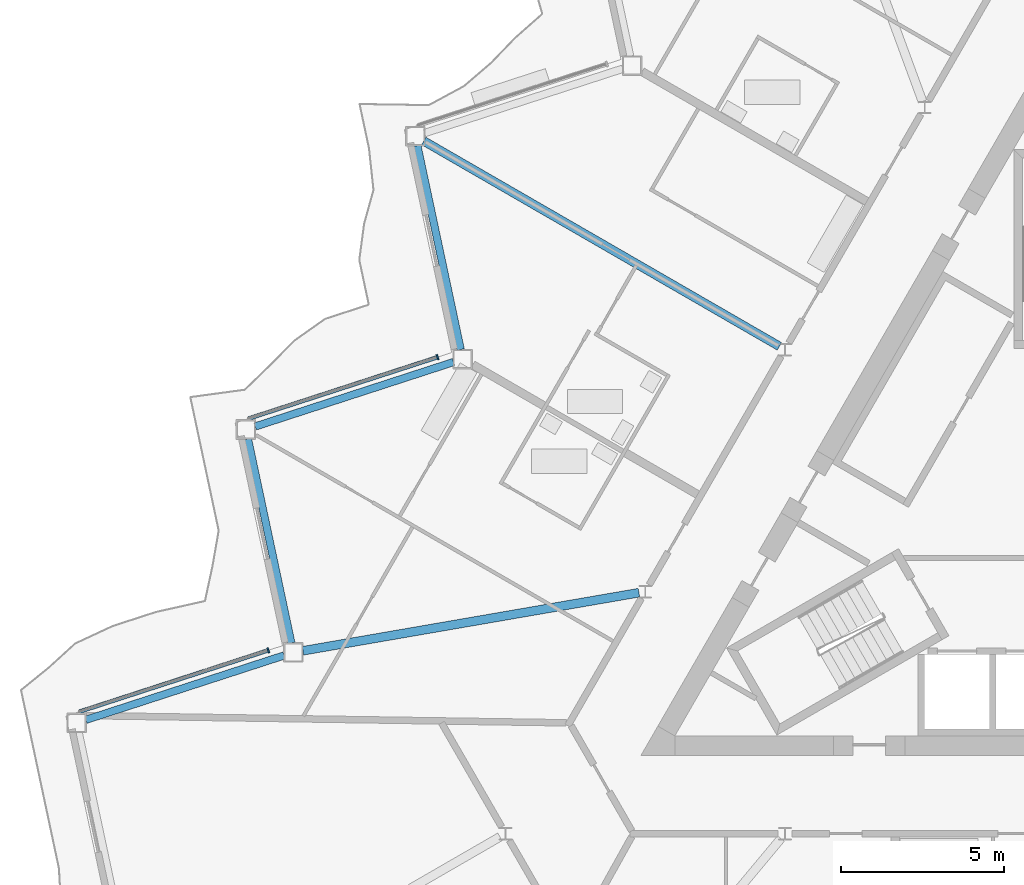
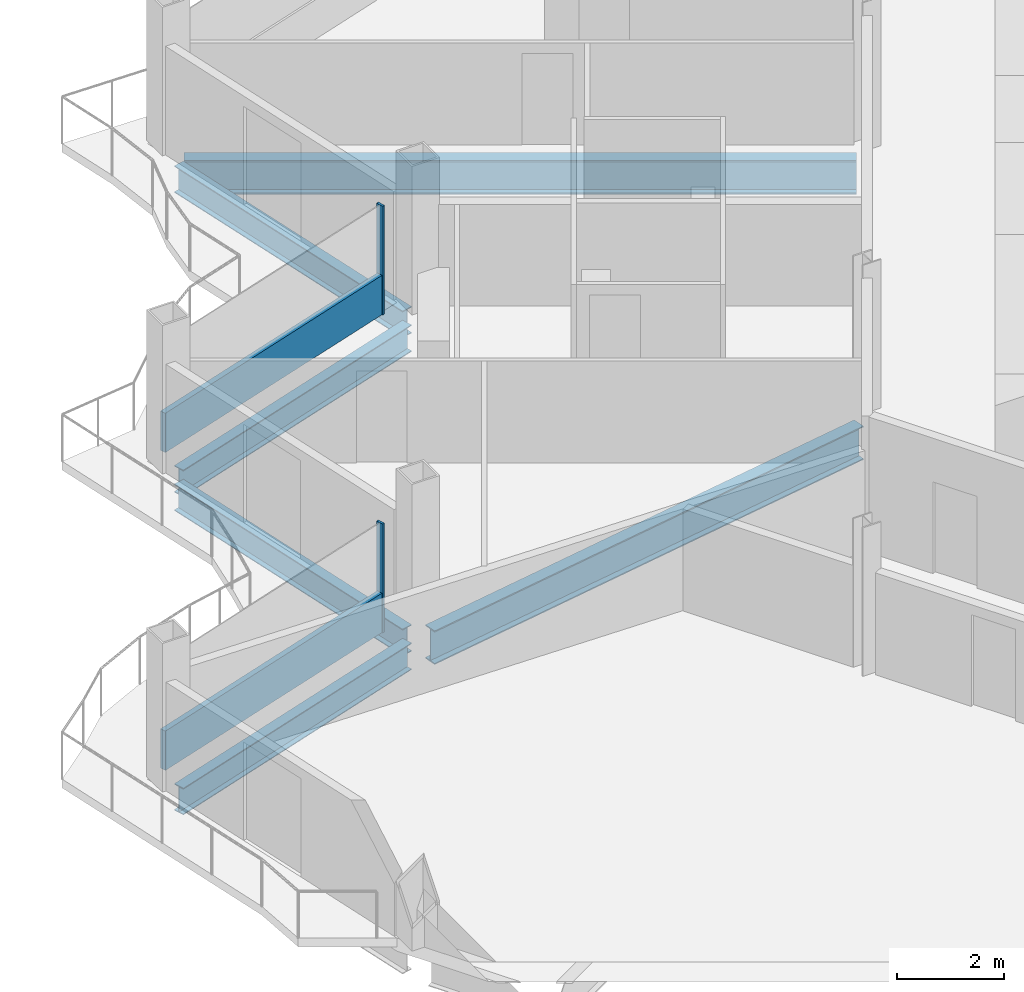
# One storey, part 6 of 26: 6 beams, 4 members, 2 elements without a shape of their own.
"""IFC4 building model written with IfcOpenShell, lengths in metres."""

from ifc_helpers import new_model, si_unit, direction, frame, origin, origin_2d, place, context, subcontext, project, spatial, rectangle, i_section, extrude, material, layer, layer_set, material_profile, profile_set, type_object, element, aggregate, save


model = new_model("IFC4")

# Units and contexts
model_context = context("Model", 3, precision=1e-05, world=origin(), true_north=direction((0.0, 1.0)))
body_context = subcontext(model_context, "Body", "Model", "MODEL_VIEW")
ifc_project = project(units=[si_unit("LENGTHUNIT", "METRE"), si_unit("AREAUNIT", "SQUARE_METRE"), si_unit("VOLUMEUNIT", "CUBIC_METRE"), si_unit("PLANEANGLEUNIT", "RADIAN"), si_unit("MASSUNIT", "GRAM", prefix="KILO")], contexts=[model_context])

# Site, building, storey
site_placement = place(None, origin())
site = spatial("IfcSite", under=ifc_project, at=site_placement, CompositionType="ELEMENT")
building_placement = place(site_placement, origin())
building = spatial("IfcBuilding", under=site, at=building_placement, Name="Cormorant Prow Tower", CompositionType="ELEMENT")
storey_placement = place(building_placement, frame((0.0, 0.0, 329.0)))
storey = spatial("IfcBuildingStorey", under=building, at=storey_placement, Name="L73", CompositionType="ELEMENT", Elevation=329.0)

# Beams
ifc_material_1 = material(Name="Structural steel ASTM A992 Gr 50", Category="steel")
ifc_material_profile_1 = material_profile(ifc_material_1, i_section(OverallWidth=0.267822265625, OverallDepth=0.77001953125, WebThickness=0.015625, FlangeThickness=0.025390625, at=origin_2d()), Name="W30x132")
ifc_profile_set_1 = profile_set([ifc_material_profile_1], Name="Structural steel ASTM A992 Gr 50")
beam_type_1 = type_object("IfcBeamType", Name="Radial floor beam W30x132", PredefinedType="BEAM", material=ifc_profile_set_1)
beam_1_placement = place(storey_placement, frame((-8.749755859375, 5.051513671875, -0.68505859375), z_axis=(-0.866021086443, 0.50000747778, 0.0), x_axis=(-0.50000747778, -0.866021086443, 0.0)))
element("IfcBeam", 1, at=beam_1_placement, inside=storey, type_object=beam_type_1, Name="Radial floor beam FB3 3 L73", PredefinedType="BEAM", context=body_context, shape_type="SweptSolid", body=[
    extrude(i_section(OverallWidth=0.267822265625, OverallDepth=0.77001953125, WebThickness=0.015625, FlangeThickness=0.025390625, at=origin_2d()), origin(), (0.0, 0.0, 1.0), 12.604736328125),
])
beam_2_placement = place(storey_placement, frame((-13.0625, -2.510009765625, -0.68505859375), z_axis=(-0.985379592304, -0.170373293304, 0.0), x_axis=(0.170373293304, -0.985379592304, 0.0)))
element("IfcBeam", 2, at=beam_2_placement, inside=storey, type_object=beam_type_1, Name="Radial floor beam FB3 4 L73", PredefinedType="BEAM", context=body_context, shape_type="SweptSolid", body=[
    extrude(i_section(OverallWidth=0.267822265625, OverallDepth=0.77001953125, WebThickness=0.015625, FlangeThickness=0.025390625, at=origin_2d()), origin(), (0.0, 0.0, 1.0), 10.465087890625),
])

# Curtain wall, member
ifc_material_2 = material(Name="Aluminium 6063-T6", Category="aluminium")
ifc_layer = layer(ifc_material_2, 0.159912109375)
ifc_layer_set = layer_set([ifc_layer], Name="Aluminium 6063-T6")
curtain_wall_type = type_object("IfcCurtainWallType", Name="Residential unitised curtain wall 160", PredefinedType="NOTDEFINED", material=ifc_layer_set)
curtain_wall_1_placement = place(storey_placement, origin())
curtain_wall_1 = element("IfcCurtainWall", 3, at=curtain_wall_1_placement, inside=storey, type_object=curtain_wall_type, Name="Residential curtain wall WNW06", PredefinedType="NOTDEFINED")
ifc_material_3 = material(Name="Aluminium 6063-T6", Category="aluminium")
ifc_material_profile_2 = material_profile(ifc_material_3, rectangle(XDim=0.159912109375, YDim=0.050048828125, at=origin_2d()), Name="Residential mullion 50x160")
ifc_profile_set_2 = profile_set([ifc_material_profile_2], Name="Aluminium 6063-T6")
member_type_1 = type_object("IfcMemberType", Name="Residential mullion 50x160", PredefinedType="MULLION", material=ifc_profile_set_2)
member_1_placement = place(storey_placement, frame((-19.244384765625, 4.718505859375, 0.0), z_axis=(0.0, 0.0, 1.0), x_axis=(0.309017021913, -0.951056507348, 0.0)))
member_1 = element("IfcMember", 4, at=member_1_placement, type_object=member_type_1, Name="Residential mullion WNW06", PredefinedType="MULLION", context=body_context, shape_type="SweptSolid", body=[
    extrude(rectangle(XDim=0.159912109375, YDim=0.050048828125, at=origin_2d()), origin(), (0.0, 0.0, 1.0), 2.48779296875),
])

curtain_wall_2_placement = place(storey_placement, origin())
curtain_wall_2 = element("IfcCurtainWall", 5, at=curtain_wall_2_placement, inside=storey, type_object=curtain_wall_type, Name="Residential curtain wall WNW08", PredefinedType="NOTDEFINED")
member_2_placement = place(storey_placement, frame((-24.43896484375, -4.279052734375, 0.0), z_axis=(0.0, 0.0, 1.0), x_axis=(0.309017021913, -0.951056507348, 0.0)))
member_2 = element("IfcMember", 6, at=member_2_placement, type_object=member_type_1, Name="Residential mullion WNW08", PredefinedType="MULLION", context=body_context, shape_type="SweptSolid", body=[
    extrude(rectangle(XDim=0.159912109375, YDim=0.050048828125, at=origin_2d()), origin(), (0.0, 0.0, 1.0), 2.48779296875),
])

# Member
ifc_material_4 = material(Name="Terracotta", Category="masonry")
ifc_material_profile_3 = material_profile(ifc_material_4, rectangle(XDim=0.1201171875, YDim=0.89990234375, at=origin_2d()), Name="Residential terracotta spandrel rail 120x900")
ifc_profile_set_3 = profile_set([ifc_material_profile_3], Name="Terracotta")
member_type_2 = type_object("IfcMemberType", Name="Residential terracotta spandrel rail 120x900", PredefinedType="USERDEFINED", material=ifc_profile_set_3)
member_3_placement = place(storey_placement, frame((-19.26806640625, 4.710693359375, 0.449951171875), z_axis=(-0.951064202661, -0.308993337171, 0.0), x_axis=(0.308993337171, -0.951064202661, 0.0)))
member_3 = element("IfcMember", 7, at=member_3_placement, type_object=member_type_2, Name="Residential spandrel rail WNW06", ObjectType="TRANSOM", PredefinedType="USERDEFINED", context=body_context, shape_type="SweptSolid", body=[
    extrude(rectangle(XDim=0.1201171875, YDim=0.89990234375, at=origin_2d()), origin(), (0.0, 0.0, 1.0), 6.072021484375),
])

aggregate(curtain_wall_1, [member_1, member_3])

member_4_placement = place(storey_placement, frame((-24.462646484375, -4.28662109375, 0.449951171875), z_axis=(-0.95105622579, -0.309017888456, 0.0), x_axis=(0.309017888456, -0.95105622579, 0.0)))
member_4 = element("IfcMember", 8, at=member_4_placement, type_object=member_type_2, Name="Residential spandrel rail WNW08", ObjectType="TRANSOM", PredefinedType="USERDEFINED", context=body_context, shape_type="SweptSolid", body=[
    extrude(rectangle(XDim=0.1201171875, YDim=0.89990234375, at=origin_2d()), origin(), (0.0, 0.0, 1.0), 6.072265625),
])

aggregate(curtain_wall_2, [member_2, member_4])

# Beams
ifc_material_5 = material(Name="Structural steel ASTM A992 Gr 50", Category="steel")
ifc_material_profile_4 = material_profile(ifc_material_5, i_section(OverallWidth=0.22900390625, OverallDepth=0.612060546875, WebThickness=0.011962890625, FlangeThickness=0.01953125, at=origin_2d()), Name="W24x84")
ifc_profile_set_4 = profile_set([ifc_material_profile_4], Name="Structural steel ASTM A992 Gr 50")
beam_type_2 = type_object("IfcBeamType", Name="Spandrel beam W24x84", PredefinedType="SPANDREL", material=ifc_profile_set_4)
beam_3_placement = place(storey_placement, frame((-19.86328125, 11.210693359375, -0.60595703125), z_axis=(0.20791262393, -0.978147402394, 0.0), x_axis=(0.978147402394, 0.20791262393, 0.0)))
element("IfcBeam", 9, at=beam_3_placement, inside=storey, type_object=beam_type_2, Name="Spandrel beam SB3 WNW05-WNW06 L73", PredefinedType="SPANDREL", context=body_context, shape_type="SweptSolid", body=[
    extrude(i_section(OverallWidth=0.22900390625, OverallDepth=0.612060546875, WebThickness=0.011962890625, FlangeThickness=0.01953125, at=origin_2d()), origin(), (0.0, 0.0, 1.0), 6.396240234375),
])
beam_4_placement = place(storey_placement, frame((-18.75634765625, 4.568115234375, -0.60595703125), z_axis=(-0.951064359156, -0.308992855489, 0.0), x_axis=(0.308992855489, -0.951064359156, 0.0)))
element("IfcBeam", 10, at=beam_4_placement, inside=storey, type_object=beam_type_2, Name="Spandrel beam SB3 WNW06-WNW07 L73", PredefinedType="SPANDREL", context=body_context, shape_type="SweptSolid", body=[
    extrude(i_section(OverallWidth=0.22900390625, OverallDepth=0.612060546875, WebThickness=0.011962890625, FlangeThickness=0.01953125, at=origin_2d()), origin(), (0.0, 0.0, 1.0), 6.39599609375),
])
beam_5_placement = place(storey_placement, frame((-25.062255859375, 2.20556640625, -0.60595703125), z_axis=(0.20791262393, -0.978147402394, 0.0), x_axis=(0.978147402394, 0.20791262393, 0.0)))
element("IfcBeam", 11, at=beam_5_placement, inside=storey, type_object=beam_type_2, Name="Spandrel beam SB3 WNW07-WNW08 L73", PredefinedType="SPANDREL", context=body_context, shape_type="SweptSolid", body=[
    extrude(i_section(OverallWidth=0.22900390625, OverallDepth=0.612060546875, WebThickness=0.011962890625, FlangeThickness=0.01953125, at=origin_2d()), origin(), (0.0, 0.0, 1.0), 6.396240234375),
])
beam_6_placement = place(storey_placement, frame((-23.955322265625, -4.43701171875, -0.60595703125), z_axis=(-0.951064359156, -0.308992855489, 0.0), x_axis=(0.308992855489, -0.951064359156, 0.0)))
element("IfcBeam", 12, at=beam_6_placement, inside=storey, type_object=beam_type_2, Name="Spandrel beam SB3 WNW08-WNW09 L73", PredefinedType="SPANDREL", context=body_context, shape_type="SweptSolid", body=[
    extrude(i_section(OverallWidth=0.22900390625, OverallDepth=0.612060546875, WebThickness=0.011962890625, FlangeThickness=0.01953125, at=origin_2d()), origin(), (0.0, 0.0, 1.0), 6.39599609375),
])

save(model, "model.ifc")
